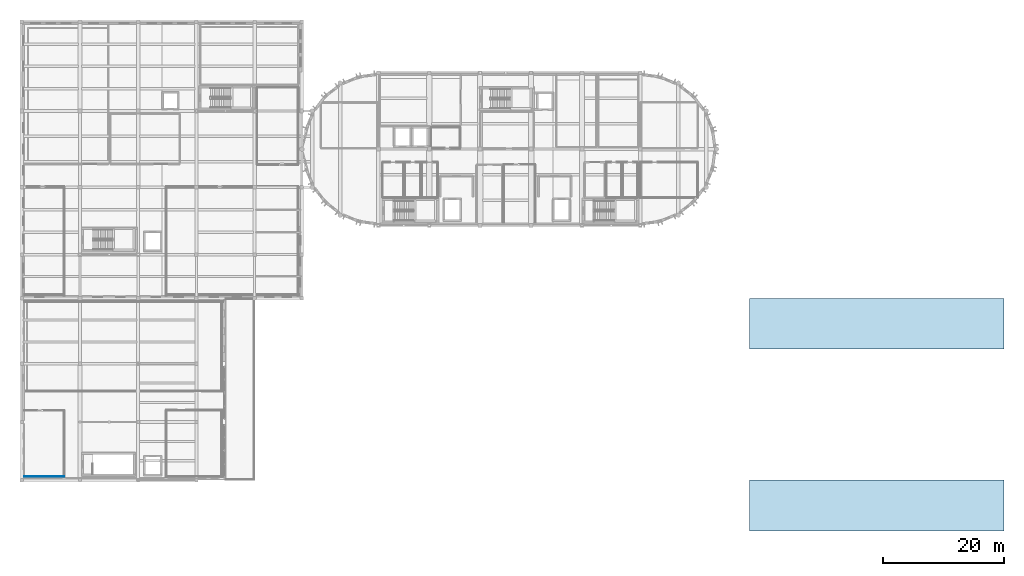
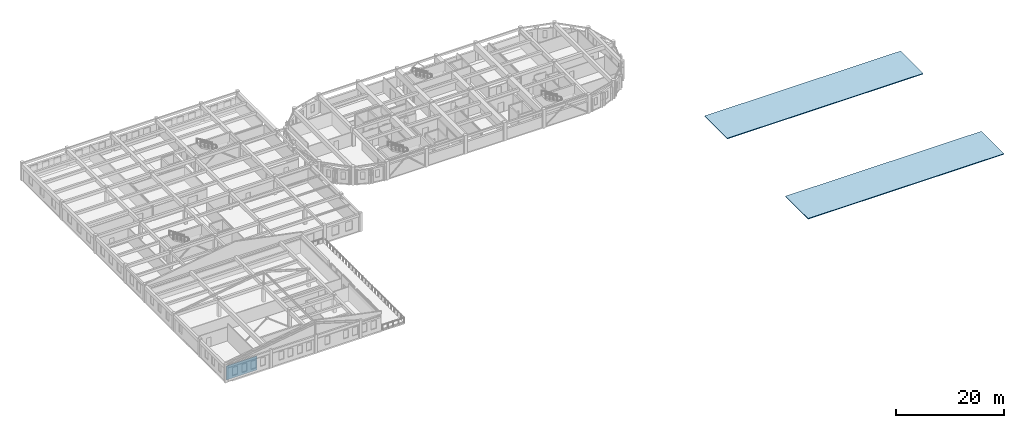
# One storey, part 9 of 31: 2 slabs, 1 wall.
"""IFC4 building model written with IfcOpenShell, lengths in metres."""

from ifc_helpers import new_model, si_unit, direction, frame, frame_2d, origin, place, context, subcontext, project, spatial, polyline, rectangle, outline, extrude, material, layer, layer_set, type_object, element, save


model = new_model("IFC4")

# Units and contexts
model_context = context("Model", 3, precision=1e-05, world=origin(), true_north=direction((0.0, 1.0)))
body_context = subcontext(model_context, "Body", "Model", "MODEL_VIEW")
ifc_project = project(units=[si_unit("LENGTHUNIT", "METRE"), si_unit("AREAUNIT", "SQUARE_METRE"), si_unit("VOLUMEUNIT", "CUBIC_METRE"), si_unit("PLANEANGLEUNIT", "RADIAN"), si_unit("MASSUNIT", "GRAM", prefix="KILO")], contexts=[model_context])

# Site, building, storey
site_placement = place(None, origin())
site = spatial("IfcSite", under=ifc_project, at=site_placement, CompositionType="ELEMENT")
building_placement = place(site_placement, origin())
building = spatial("IfcBuilding", under=site, at=building_placement, Name="Tarnavel Promenade Courthouse", CompositionType="ELEMENT")
storey_placement = place(building_placement, frame((0.0, 0.0, 18.60009765625)))
storey = spatial("IfcBuildingStorey", under=building, at=storey_placement, Name="L05", CompositionType="ELEMENT", Elevation=18.60009765625)

# Slabs
ifc_material_1 = material(Name="Concrete C35/45", Category="concrete")
ifc_layer_1 = layer(ifc_material_1, 0.175048828125)
ifc_layer_set_1 = layer_set([ifc_layer_1], Name="Concrete C35/45")
slab_type = type_object("IfcSlabType", Name="Concrete C35/45 SLB-EAVE-175 (175 mm)", PredefinedType="ROOF", material=ifc_layer_set_1)
slab_1_placement = place(storey_placement, origin())
element("IfcSlab", 1, at=slab_1_placement, inside=storey, type_object=slab_type, Name="L05 Ceremonial Pavilion South Genis Sacak Eave Roof", PredefinedType="ROOF", context=body_context, shape_type="SweptSolid", body=[
    extrude(outline(polyline([(120.0, 28.800048828125), (162.0, 28.800048828125), (162.0, 37.199951171875), (120.0, 37.199951171875), (120.0, 28.800048828125)])), origin(), (0.0, 0.0, 1.0), 0.1748046875),
])
slab_2_placement = place(storey_placement, origin())
element("IfcSlab", 2, at=slab_2_placement, inside=storey, type_object=slab_type, Name="L05 Ceremonial Pavilion North Genis Sacak Eave Roof", PredefinedType="ROOF", context=body_context, shape_type="SweptSolid", body=[
    extrude(outline(polyline([(120.0, 58.800048828125), (162.0, 58.800048828125), (162.0, 67.199951171875), (120.0, 67.199951171875), (120.0, 58.800048828125)])), origin(), (0.0, 0.0, 1.0), 0.1748046875),
])

# Wall
ifc_material_2 = material(Name="Metal-Stud Acoustic Gypsum Partition", Category="gypsum")
ifc_layer_2 = layer(ifc_material_2, 0.135009765625)
ifc_layer_set_2 = layer_set([ifc_layer_2], Name="Metal-Stud Acoustic Gypsum Partition")
wall_type = type_object("IfcWallType", Name="Metal-Stud Acoustic Gypsum Partition WL-OFF-135 (135 mm)", PredefinedType="PARTITIONING", material=ifc_layer_set_2)
wall_placement = place(storey_placement, frame((7.0, 37.800048828125, 0.0), z_axis=(0.0, 0.0, 1.0), x_axis=(-1.0, 0.0, 0.0)))
element("IfcWall", 3, at=wall_placement, inside=storey, type_object=wall_type, Name="L05 L05 Legal Scholars' Study Carrels Partition 0710", PredefinedType="PARTITIONING", context=body_context, shape_type="SweptSolid", body=[
    extrude(rectangle(XDim=6.56103515625, YDim=0.135009765625, at=frame_2d((3.280517578125, 0.0))), origin(), (0.0, 0.0, 1.0), 3.139892578125),
])

save(model, "model.ifc")
